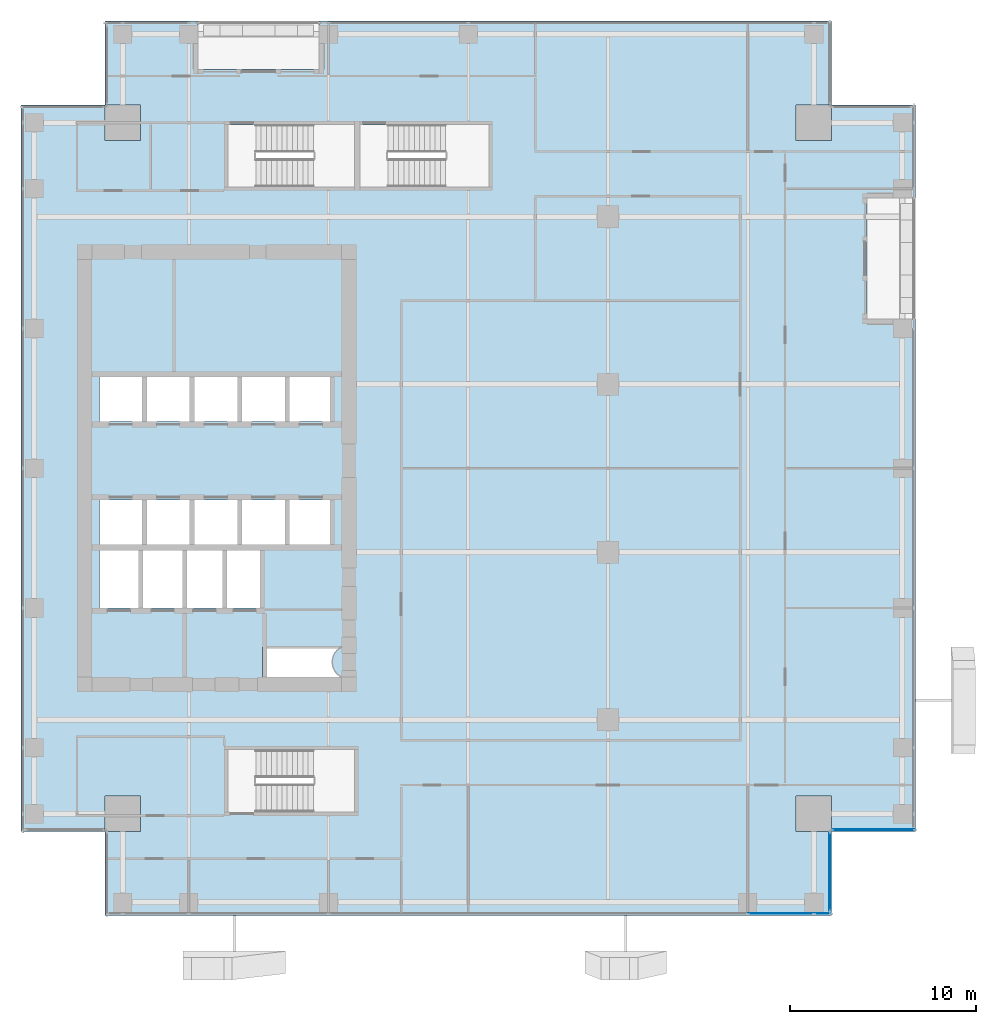
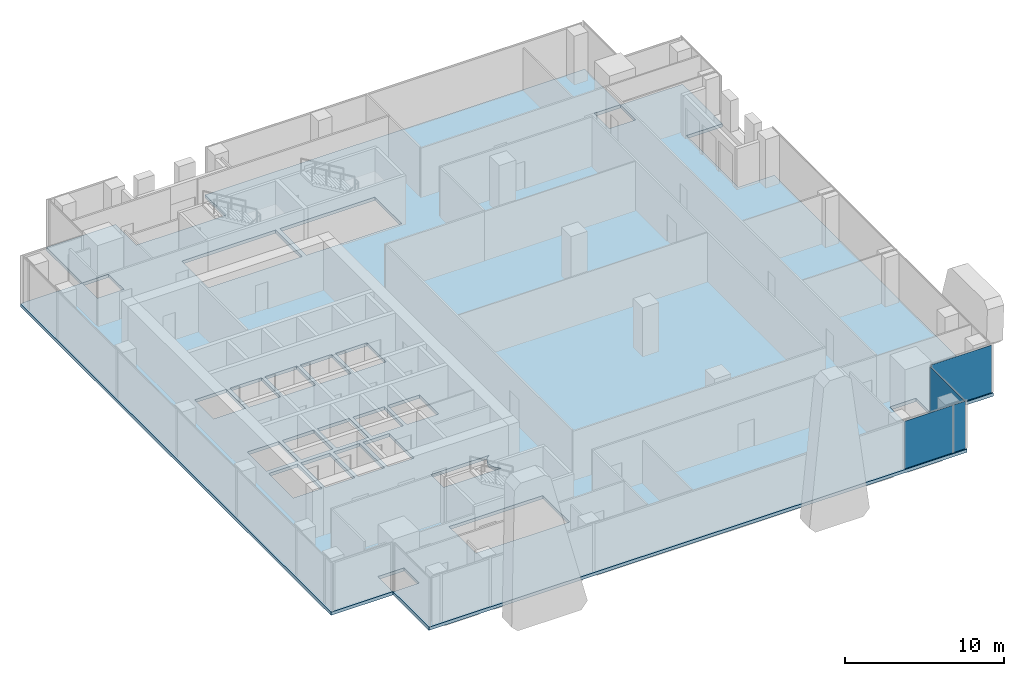
# One storey, part 28 of 38: 4 plates, 1 slab, 3 elements without a shape of their own.
"""IFC4 building model written with IfcOpenShell, lengths in metres."""

from ifc_helpers import new_model, si_unit, direction, frame, origin, origin_2d, place, context, subcontext, project, spatial, polyline, rectangle, outline, extrude, source, transform, mapped, material, layer, layer_set, type_object, element, aggregate, save


model = new_model("IFC4")

# Units and contexts
model_context = context("Model", 3, precision=1e-05, world=origin(), true_north=direction((0.0, 1.0)))
body_context = subcontext(model_context, "Body", "Model", "MODEL_VIEW")
ifc_project = project(units=[si_unit("LENGTHUNIT", "METRE"), si_unit("AREAUNIT", "SQUARE_METRE"), si_unit("VOLUMEUNIT", "CUBIC_METRE"), si_unit("PLANEANGLEUNIT", "RADIAN"), si_unit("MASSUNIT", "GRAM", prefix="KILO")], contexts=[model_context])

# Site, building, storey
site_placement = place(None, origin())
site = spatial("IfcSite", under=ifc_project, at=site_placement, CompositionType="ELEMENT")
building_placement = place(site_placement, origin())
building = spatial("IfcBuilding", under=site, at=building_placement, Name="Khomas Fold Tower", CompositionType="ELEMENT")
storey_placement = place(building_placement, frame((0.0, 0.0, 196.699951171875)))
storey = spatial("IfcBuildingStorey", under=building, at=storey_placement, Name="L43", CompositionType="ELEMENT", Elevation=196.699951171875)

# Slab
ifc_material_1 = material(Name="Concrete C40/50", Category="concrete")
ifc_layer_1 = layer(ifc_material_1, 0.25)
ifc_layer_set_1 = layer_set([ifc_layer_1], Name="Concrete C40/50")
slab_type = type_object("IfcSlabType", Name="RC floor slab 250", PredefinedType="FLOOR", material=ifc_layer_set_1)
shared_shape_1 = source(origin(), body_context, "Body", "SweptSolid", [
    extrude(outline(polyline([(3.0, 7.5), (7.4951171875, 7.5), (7.4951171875, 9.405029296875), (9.405029296875, 9.405029296875), (9.405029296875, 7.4951171875), (7.5, 7.4951171875), (7.5, 3.0), (46.5, 3.0), (46.5, 7.4951171875), (44.594970703125, 7.4951171875), (44.594970703125, 9.405029296875), (46.5048828125, 9.405029296875), (46.5048828125, 7.5), (51.0, 7.5), (51.0, 35.0), (48.39990234375, 35.0), (48.39990234375, 41.5), (51.0, 41.5), (51.0, 46.5), (46.5048828125, 46.5), (46.5048828125, 44.594970703125), (44.594970703125, 44.594970703125), (44.594970703125, 46.5048828125), (46.5, 46.5048828125), (46.5, 51.0), (19.0, 51.0), (19.0, 48.39990234375), (12.5, 48.39990234375), (12.5, 51.0), (7.5, 51.0), (7.5, 46.5048828125), (9.405029296875, 46.5048828125), (9.405029296875, 44.594970703125), (7.4951171875, 44.594970703125), (7.4951171875, 46.5), (3.0, 46.5), (3.0, 7.5)]), holes=[polyline([(7.199951171875, 19.5), (7.199951171875, 22.60009765625), (9.300048828125, 22.60009765625), (9.300048828125, 19.5), (7.199951171875, 19.5)]), polyline([(7.199951171875, 22.89990234375), (7.199951171875, 25.300048828125), (9.5, 25.300048828125), (9.5, 22.89990234375), (7.199951171875, 22.89990234375)]), polyline([(7.199951171875, 29.5), (7.199951171875, 31.89990234375), (9.5, 31.89990234375), (9.5, 29.5), (7.199951171875, 29.5)]), polyline([(9.550048828125, 19.5), (9.550048828125, 22.60009765625), (11.64990234375, 22.60009765625), (11.64990234375, 19.5), (9.550048828125, 19.5)]), polyline([(9.75, 22.89990234375), (9.75, 25.300048828125), (12.050048828125, 25.300048828125), (12.050048828125, 22.89990234375), (9.75, 22.89990234375)]), polyline([(9.75, 29.5), (9.75, 31.89990234375), (12.050048828125, 31.89990234375), (12.050048828125, 29.5), (9.75, 29.5)]), polyline([(11.89990234375, 19.5), (11.89990234375, 22.60009765625), (13.800048828125, 22.60009765625), (13.800048828125, 19.5), (11.89990234375, 19.5)]), polyline([(12.300048828125, 22.89990234375), (12.300048828125, 25.300048828125), (14.60009765625, 25.300048828125), (14.60009765625, 22.89990234375), (12.300048828125, 22.89990234375)]), polyline([(12.300048828125, 29.5), (12.300048828125, 31.89990234375), (14.60009765625, 31.89990234375), (14.60009765625, 29.5), (12.300048828125, 29.5)]), polyline([(14.050048828125, 19.5), (14.050048828125, 22.60009765625), (15.949951171875, 22.60009765625), (15.949951171875, 19.5), (14.050048828125, 19.5)]), polyline([(14.10009765625, 8.550048828125), (14.10009765625, 11.89990234375), (20.89990234375, 11.89990234375), (20.89990234375, 8.550048828125), (14.10009765625, 8.550048828125)]), polyline([(14.10009765625, 42.10009765625), (14.10009765625, 45.449951171875), (20.89990234375, 45.449951171875), (20.89990234375, 42.10009765625), (14.10009765625, 42.10009765625)]), polyline([(14.85009765625, 22.89990234375), (14.85009765625, 25.300048828125), (17.14990234375, 25.300048828125), (17.14990234375, 22.89990234375), (14.85009765625, 22.89990234375)]), polyline([(14.85009765625, 29.5), (14.85009765625, 31.89990234375), (17.14990234375, 31.89990234375), (17.14990234375, 29.5), (14.85009765625, 29.5)]), polyline([(15.949951171875, 15.800048828125), (15.949951171875, 17.39990234375), (20.18896484375, 17.39990234375), (20.17578125, 17.393798828125), (20.10009765625, 17.348388671875), (20.029052734375, 17.295654296875), (19.963623046875, 17.236328125), (19.904296875, 17.1708984375), (19.851806640625, 17.10009765625), (19.806396484375, 17.0244140625), (19.7685546875, 16.9443359375), (19.73876953125, 16.861328125), (19.71728515625, 16.775634765625), (19.704345703125, 16.688232421875), (19.699951171875, 16.60009765625), (19.704345703125, 16.51171875), (19.71728515625, 16.42431640625), (19.73876953125, 16.338623046875), (19.7685546875, 16.255615234375), (19.806396484375, 16.17578125), (19.851806640625, 16.10009765625), (19.904296875, 16.029052734375), (19.963623046875, 15.963623046875), (20.029052734375, 15.904296875), (20.10009765625, 15.851806640625), (20.17578125, 15.806396484375), (20.18896484375, 15.800048828125), (15.949951171875, 15.800048828125)]), polyline([(17.39990234375, 22.89990234375), (17.39990234375, 25.300048828125), (19.699951171875, 25.300048828125), (19.699951171875, 22.89990234375), (17.39990234375, 22.89990234375)]), polyline([(17.39990234375, 29.5), (17.39990234375, 31.89990234375), (19.699951171875, 31.89990234375), (19.699951171875, 29.5), (17.39990234375, 29.5)]), polyline([(21.199951171875, 42.10009765625), (21.199951171875, 45.449951171875), (28.10009765625, 45.449951171875), (28.10009765625, 42.10009765625), (21.199951171875, 42.10009765625)])]), origin(), (0.0, 0.0, 1.0), 0.25),
])
slab_placement = place(storey_placement, frame((0.0, 0.0, -0.25)))
element("IfcSlab", 1, at=slab_placement, inside=storey, type_object=slab_type, Name="S-L43", PredefinedType="FLOOR", context=body_context, shape_type="MappedRepresentation", body=[
    mapped(shared_shape_1, transform((0.0, 0.0, 0.0))),
])

# Curtain wall, plate
ifc_material_2 = material(Name="Aluminium framed double glazing", Category="aluminium")
curtain_wall_type = type_object("IfcCurtainWallType", Name="SK-Unitised clear-glass wall, office floors CW2", PredefinedType="NOTDEFINED", material=ifc_material_2)
curtain_wall_1_placement = place(storey_placement, origin())
curtain_wall_1 = element("IfcCurtainWall", 2, at=curtain_wall_1_placement, inside=storey, type_object=curtain_wall_type, Name="CW2 corner return L43 02", PredefinedType="NOTDEFINED")
ifc_material_3 = material(Name="Clear double glazed unit")
ifc_layer_2 = layer(ifc_material_3, 0.030029296875)
ifc_layer_set_2 = layer_set([ifc_layer_2], Name="Clear double glazed unit")
plate_type = type_object("IfcPlateType", Name="SK-Unitised clear-glass wall, office floors glass panel CW2-P", PredefinedType="CURTAIN_PANEL", material=ifc_layer_set_2)
shared_shape_2 = source(origin(), body_context, "Body", "SweptSolid", [
    extrude(rectangle(XDim=4.3798828125, YDim=0.030029296875, at=origin_2d()), origin(), (0.0, 0.0, 1.0), 3.639892578125),
])
plate_1_placement = place(storey_placement, frame((48.75, 7.60009765625, 0.0), z_axis=(0.0, 0.0, 1.0), x_axis=(1.0, 0.0, 0.0)))
plate_1 = element("IfcPlate", 3, at=plate_1_placement, type_object=plate_type, Name="CW2 glass panel 1", PredefinedType="CURTAIN_PANEL", context=body_context, shape_type="MappedRepresentation", body=[
    mapped(shared_shape_2, transform((0.0, 0.0, 0.0))),
])
aggregate(curtain_wall_1, [plate_1])

curtain_wall_2_placement = place(storey_placement, origin())
curtain_wall_2 = element("IfcCurtainWall", 4, at=curtain_wall_2_placement, inside=storey, type_object=curtain_wall_type, Name="CW2 run L43 00-0", PredefinedType="NOTDEFINED")
shared_shape_3 = source(origin(), body_context, "Body", "SweptSolid", [
    extrude(rectangle(XDim=3.489990234375, YDim=0.030029296875, at=origin_2d()), origin(), (0.0, 0.0, 1.0), 3.639892578125),
])
plate_2_placement = place(storey_placement, frame((43.77490234375, 3.10009765625, 0.0), z_axis=(0.0, 0.0, 1.0), x_axis=(1.0, 0.0, 0.0)))
plate_2 = element("IfcPlate", 5, at=plate_2_placement, type_object=plate_type, Name="CW2 glass panel 5", PredefinedType="CURTAIN_PANEL", context=body_context, shape_type="MappedRepresentation", body=[
    mapped(shared_shape_3, transform((0.0, 0.0, 0.0))),
])

curtain_wall_3_placement = place(storey_placement, origin())
curtain_wall_3 = element("IfcCurtainWall", 6, at=curtain_wall_3_placement, inside=storey, type_object=curtain_wall_type, Name="CW2 corner return L43 01", PredefinedType="NOTDEFINED")
shared_shape_4 = source(origin(), body_context, "Body", "SweptSolid", [
    extrude(rectangle(XDim=4.179931640625, YDim=0.030029296875, at=origin_2d()), origin(), (0.0, 0.0, 1.0), 3.639892578125),
])
plate_3_placement = place(storey_placement, frame((46.39990234375, 5.35009765625, 0.0), z_axis=(0.0, 0.0, 1.0), x_axis=(0.0, 1.0, 0.0)))
plate_3 = element("IfcPlate", 7, at=plate_3_placement, type_object=plate_type, Name="CW2 glass panel 1", PredefinedType="CURTAIN_PANEL", context=body_context, shape_type="MappedRepresentation", body=[
    mapped(shared_shape_4, transform((0.0, 0.0, 0.0))),
])
aggregate(curtain_wall_3, [plate_3])

# Plate
shared_shape_5 = source(origin(), body_context, "Body", "SweptSolid", [
    extrude(rectangle(XDim=0.860107421875, YDim=0.030029296875, at=origin_2d()), origin(), (0.0, 0.0, 1.0), 3.639892578125),
])
plate_4_placement = place(storey_placement, frame((46.010009765625, 3.10009765625, 0.0), z_axis=(0.0, 0.0, 1.0), x_axis=(1.0, 0.0, 0.0)))
plate_4 = element("IfcPlate", 8, at=plate_4_placement, type_object=plate_type, Name="CW2 glass panel 6", PredefinedType="CURTAIN_PANEL", context=body_context, shape_type="MappedRepresentation", body=[
    mapped(shared_shape_5, transform((0.0, 0.0, 0.0))),
])

aggregate(curtain_wall_2, [plate_2, plate_4])

save(model, "model.ifc")
